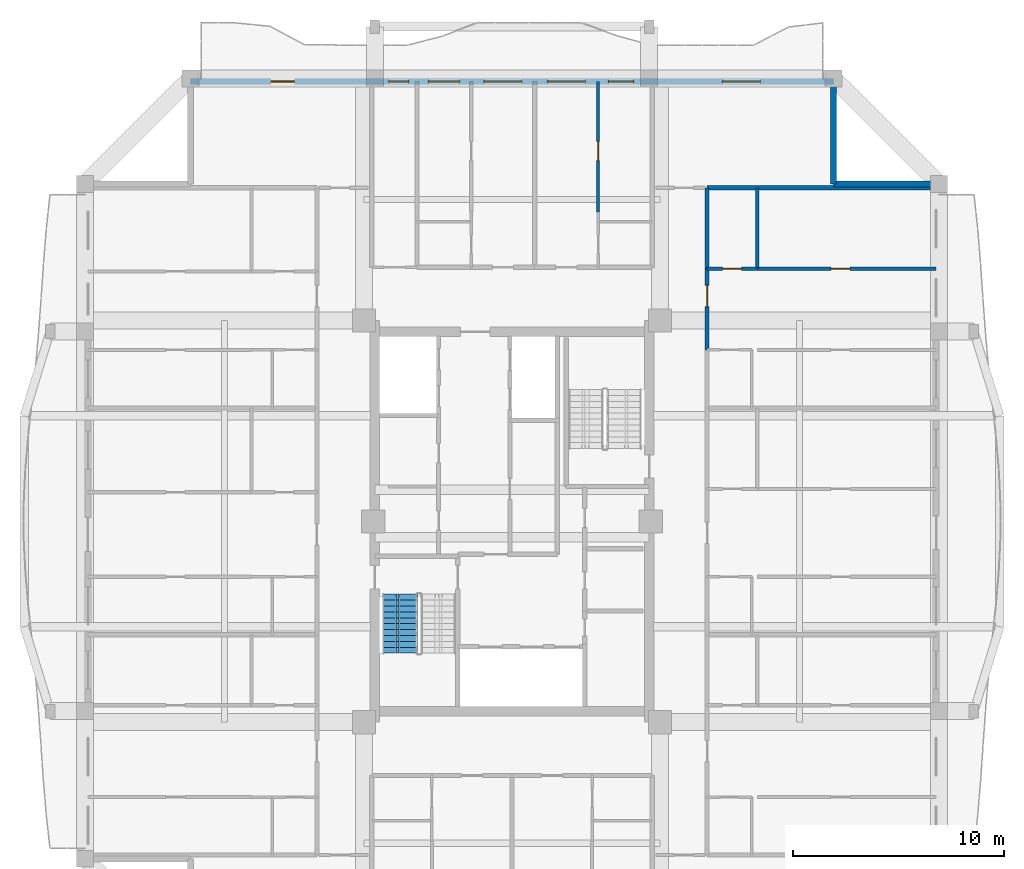
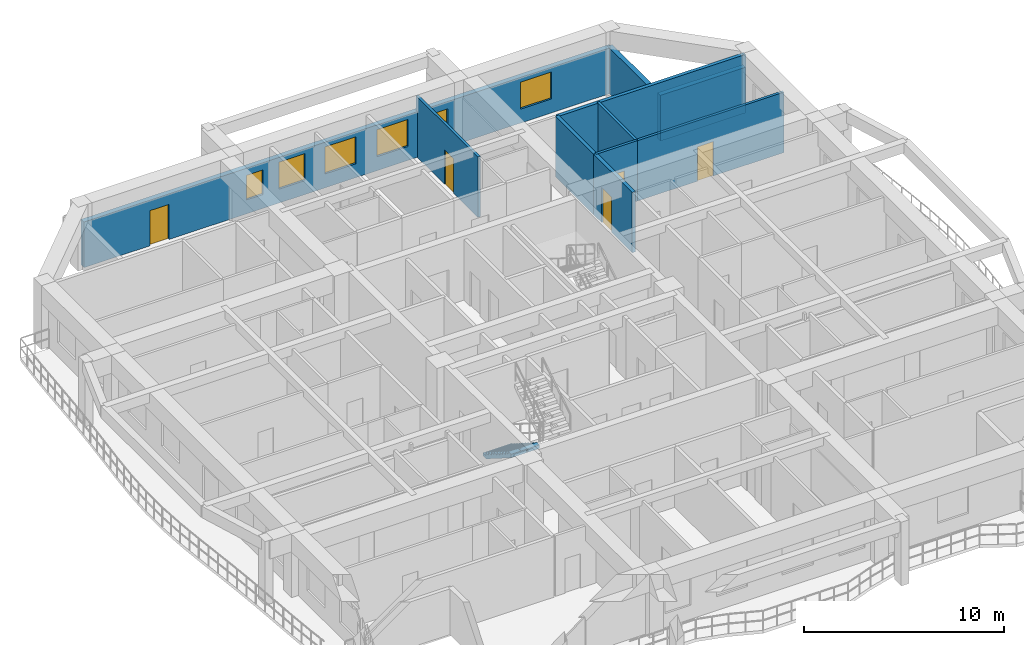
# One storey, part 7 of 13: 10 walls, 6 windows, 5 doors, 1 stair flight, 11 openings, 1 element without a shape of its own.
"""IFC4 building model written with IfcOpenShell, lengths in metres."""

from ifc_helpers import new_model, si_unit, direction, frame, frame_2d, origin, place, context, subcontext, project, spatial, polyline, rectangle, outline, extrude, source, transform, mapped, material, layer, layer_set, type_object, element, fill, aggregate, save


model = new_model("IFC4")

# Units and contexts
model_context = context("Model", 3, precision=1e-05, world=origin(), true_north=direction((0.0, 1.0)))
body_context = subcontext(model_context, "Body", "Model", "MODEL_VIEW")
ifc_project = project(units=[si_unit("LENGTHUNIT", "METRE"), si_unit("AREAUNIT", "SQUARE_METRE"), si_unit("VOLUMEUNIT", "CUBIC_METRE"), si_unit("PLANEANGLEUNIT", "RADIAN"), si_unit("MASSUNIT", "GRAM", prefix="KILO")], contexts=[model_context])

# Site, building, storey
site_placement = place(None, origin())
site = spatial("IfcSite", under=ifc_project, at=site_placement, CompositionType="ELEMENT")
building_placement = place(site_placement, origin())
building = spatial("IfcBuilding", under=site, at=building_placement, Name="Saelheon Loggia Tower", CompositionType="ELEMENT")
storey_placement = place(building_placement, frame((0.0, 0.0, 172.89990234375)))
storey = spatial("IfcBuildingStorey", under=building, at=storey_placement, Name="L54", CompositionType="ELEMENT", Elevation=172.89990234375)

# Wall, openings, windows, door
ifc_material_1 = material(Name="Architectural Precast Concrete C40/50", Category="concrete")
ifc_layer_1 = layer(ifc_material_1, 0.280029296875)
ifc_layer_set_1 = layer_set([ifc_layer_1], Name="Architectural Precast Concrete C40/50")
wall_type_1 = type_object("IfcWallType", Name="Wall_Ext_Loggia_280", PredefinedType="SOLIDWALL", material=ifc_layer_set_1)
wall_1_placement = place(storey_placement, frame((22.75, 47.860107421875, 0.0), z_axis=(0.0, 0.0, 1.0), x_axis=(1.0, 0.0, 0.0)))
wall_1 = element("IfcWall", 1, at=wall_1_placement, inside=storey, type_object=wall_type_1, Name="L54 North Loggia Inner Wall", PredefinedType="SOLIDWALL", context=body_context, shape_type="SweptSolid", body=[
    extrude(rectangle(XDim=30.5, YDim=0.280029296875, at=frame_2d((15.25, 0.0))), origin(), (0.0, 0.0, 1.0), 2.7900390625),
])
opening_1_placement = place(wall_1_placement, frame((3.824951171875, 0.0, 0.0)))
opening_1 = element("IfcOpeningElement", 2, at=opening_1_placement, cuts=wall_1, Name="Opening TD1", PredefinedType="OPENING", context=body_context, shape_type="SweptSolid", body=[
    extrude(rectangle(XDim=1.10009765625, YDim=2.14990234375, at=frame_2d((0.550048828125, 1.074951171875))), frame((0.0, 0.152099609375, 0.0), z_axis=(0.0, -1.0, 0.0), x_axis=(1.0, 0.0, 0.0)), (0.0, 0.0, 1.0), 0.303955078125),
])
opening_2_placement = place(wall_1_placement, frame((9.39501953125, 0.0, 0.85009765625)))
opening_2 = element("IfcOpeningElement", 3, at=opening_2_placement, cuts=wall_1, Name="Opening WN-04", PredefinedType="OPENING", context=body_context, shape_type="SweptSolid", body=[
    extrude(rectangle(XDim=0.949951171875, YDim=1.5, at=frame_2d((0.47509765625, 0.75))), frame((0.0, 0.152099609375, 0.0), z_axis=(0.0, -1.0, 0.0), x_axis=(1.0, 0.0, 0.0)), (0.0, 0.0, 1.0), 0.303955078125),
])
opening_3_placement = place(wall_1_placement, frame((11.2822265625, 0.0, 0.85009765625)))
opening_3 = element("IfcOpeningElement", 4, at=opening_3_placement, cuts=wall_1, Name="Opening WN-02", PredefinedType="OPENING", context=body_context, shape_type="SweptSolid", body=[
    extrude(rectangle(XDim=1.5, YDim=1.64990234375, at=frame_2d((0.75, 0.824951171875))), frame((0.0, 0.152099609375, 0.0), z_axis=(0.0, -1.0, 0.0), x_axis=(1.0, 0.0, 0.0)), (0.0, 0.0, 1.0), 0.303955078125),
])
opening_4_placement = place(wall_1_placement, frame((13.919921875, 0.0, 0.85009765625)))
opening_4 = element("IfcOpeningElement", 5, at=opening_4_placement, cuts=wall_1, Name="Opening WN-01", PredefinedType="OPENING", context=body_context, shape_type="SweptSolid", body=[
    extrude(rectangle(XDim=1.800048828125, YDim=1.64990234375, at=frame_2d((0.89990234375, 0.824951171875))), frame((0.0, 0.152099609375, 0.0), z_axis=(0.0, -1.0, 0.0), x_axis=(1.0, 0.0, 0.0)), (0.0, 0.0, 1.0), 0.303955078125),
])
opening_5_placement = place(wall_1_placement, frame((16.930419921875, 0.0, 0.85009765625)))
opening_5 = element("IfcOpeningElement", 6, at=opening_5_placement, cuts=wall_1, Name="Opening WN-01", PredefinedType="OPENING", context=body_context, shape_type="SweptSolid", body=[
    extrude(rectangle(XDim=1.800048828125, YDim=1.64990234375, at=frame_2d((0.89990234375, 0.824951171875))), frame((0.0, 0.152099609375, 0.0), z_axis=(0.0, -1.0, 0.0), x_axis=(1.0, 0.0, 0.0)), (0.0, 0.0, 1.0), 0.303955078125),
])
opening_6_placement = place(wall_1_placement, frame((19.82275390625, 0.0, 0.85009765625)))
opening_6 = element("IfcOpeningElement", 7, at=opening_6_placement, cuts=wall_1, Name="Opening WN-03", PredefinedType="OPENING", context=body_context, shape_type="SweptSolid", body=[
    extrude(rectangle(XDim=1.199951171875, YDim=1.5, at=frame_2d((0.60009765625, 0.75))), frame((0.0, 0.152099609375, 0.0), z_axis=(0.0, -1.0, 0.0), x_axis=(1.0, 0.0, 0.0)), (0.0, 0.0, 1.0), 0.303955078125),
])
opening_7_placement = place(wall_1_placement, frame((25.22509765625, 0.0, 0.85009765625)))
opening_7 = element("IfcOpeningElement", 8, at=opening_7_placement, cuts=wall_1, Name="Opening WN-01", PredefinedType="OPENING", context=body_context, shape_type="SweptSolid", body=[
    extrude(rectangle(XDim=1.800048828125, YDim=1.64990234375, at=frame_2d((0.89990234375, 0.824951171875))), frame((0.0, 0.152099609375, 0.0), z_axis=(0.0, -1.0, 0.0), x_axis=(1.0, 0.0, 0.0)), (0.0, 0.0, 1.0), 0.303955078125),
])
ifc_material_2 = material(Name="Thermal-Break Aluminium and Triple Low-E Glass", Category="aluminium")
window_type_1 = type_object("IfcWindowType", Name="Win_Dwelling_1800x1650", PartitioningType="SINGLE_PANEL", PredefinedType="WINDOW", material=ifc_material_2)
shared_shape_1 = source(origin(), body_context, "Body", "SweptSolid", [
    extrude(rectangle(XDim=1.800048828125, YDim=1.64990234375, at=frame_2d((0.89990234375, 0.824951171875))), frame((0.0, 0.030029296875, 0.0), z_axis=(0.0, -1.0, 0.0), x_axis=(1.0, 0.0, 0.0)), (0.0, 0.0, 1.0), 0.06005859375),
])
window_1_placement = place(opening_4_placement, origin())
window_1 = element("IfcWindow", 9, at=window_1_placement, inside=storey, type_object=window_type_1, Name="L54 N Dwelling Window 4", OverallHeight=1.64990234375, OverallWidth=1.800048828125, PartitioningType="SINGLE_PANEL", PredefinedType="WINDOW", context=body_context, shape_type="MappedRepresentation", body=[
    mapped(shared_shape_1, transform((0.0, 0.0, 0.0), scale=1.0)),
])
fill(opening_4, window_1)
window_2_placement = place(opening_5_placement, origin())
window_2 = element("IfcWindow", 10, at=window_2_placement, inside=storey, type_object=window_type_1, Name="L54 N Dwelling Window 5", OverallHeight=1.64990234375, OverallWidth=1.800048828125, PartitioningType="SINGLE_PANEL", PredefinedType="WINDOW", context=body_context, shape_type="MappedRepresentation", body=[
    mapped(shared_shape_1, transform((0.0, 0.0, 0.0), scale=1.0)),
])
fill(opening_5, window_2)
window_3_placement = place(opening_7_placement, origin())
window_3 = element("IfcWindow", 11, at=window_3_placement, inside=storey, type_object=window_type_1, Name="L54 N Dwelling Window 7", OverallHeight=1.64990234375, OverallWidth=1.800048828125, PartitioningType="SINGLE_PANEL", PredefinedType="WINDOW", context=body_context, shape_type="MappedRepresentation", body=[
    mapped(shared_shape_1, transform((0.0, 0.0, 0.0), scale=1.0)),
])
fill(opening_7, window_3)
window_type_2 = type_object("IfcWindowType", Name="Win_Bedroom_1200x1500", PartitioningType="SINGLE_PANEL", PredefinedType="WINDOW", material=ifc_material_2)
shared_shape_2 = source(origin(), body_context, "Body", "SweptSolid", [
    extrude(rectangle(XDim=1.199951171875, YDim=1.5, at=frame_2d((0.60009765625, 0.75))), frame((0.0, 0.030029296875, 0.0), z_axis=(0.0, -1.0, 0.0), x_axis=(1.0, 0.0, 0.0)), (0.0, 0.0, 1.0), 0.06005859375),
])
window_4_placement = place(opening_6_placement, origin())
window_4 = element("IfcWindow", 12, at=window_4_placement, inside=storey, type_object=window_type_2, Name="L54 N Dwelling Window 6", OverallHeight=1.5, OverallWidth=1.199951171875, PartitioningType="SINGLE_PANEL", PredefinedType="WINDOW", context=body_context, shape_type="MappedRepresentation", body=[
    mapped(shared_shape_2, transform((0.0, 0.0, 0.0), scale=1.0)),
])
fill(opening_6, window_4)
ifc_material_3 = material(Name="Thermal-Break Aluminium Glazed Door", Category="aluminium")
door_type_1 = type_object("IfcDoorType", Name="Door_Terrace_TD1", OperationType="NOTDEFINED", PredefinedType="DOOR", material=ifc_material_3)
shared_shape_3 = source(origin(), body_context, "Body", "SweptSolid", [
    extrude(rectangle(XDim=1.10009765625, YDim=2.14990234375, at=frame_2d((0.550048828125, 1.074951171875))), frame((0.0, 0.02490234375, 0.0), z_axis=(0.0, -1.0, 0.0), x_axis=(1.0, 0.0, 0.0)), (0.0, 0.0, 1.0), 0.050048828125),
])
door_1_placement = place(opening_1_placement, origin())
door_1 = element("IfcDoor", 13, at=door_1_placement, inside=storey, type_object=door_type_1, Name="L54 N Loggia Access Door", OperationType="SINGLE_SWING_LEFT", OverallHeight=2.14990234375, OverallWidth=1.10009765625, PredefinedType="DOOR", context=body_context, shape_type="MappedRepresentation", body=[
    mapped(shared_shape_3, transform((0.0, 0.0, 0.0), scale=1.0)),
])
fill(opening_1, door_1)
window_type_3 = type_object("IfcWindowType", Name="Win_Narrow_950x1500", PartitioningType="SINGLE_PANEL", PredefinedType="WINDOW", material=ifc_material_2)
shared_shape_4 = source(origin(), body_context, "Body", "SweptSolid", [
    extrude(rectangle(XDim=0.949951171875, YDim=1.5, at=frame_2d((0.47509765625, 0.75))), frame((0.0, 0.030029296875, 0.0), z_axis=(0.0, -1.0, 0.0), x_axis=(1.0, 0.0, 0.0)), (0.0, 0.0, 1.0), 0.06005859375),
])
window_5_placement = place(opening_2_placement, origin())
window_5 = element("IfcWindow", 14, at=window_5_placement, inside=storey, type_object=window_type_3, Name="L54 N Dwelling Window 2", OverallHeight=1.5, OverallWidth=0.949951171875, PartitioningType="SINGLE_PANEL", PredefinedType="WINDOW", context=body_context, shape_type="MappedRepresentation", body=[
    mapped(shared_shape_4, transform((0.0, 0.0, 0.0), scale=1.0)),
])
fill(opening_2, window_5)
window_type_4 = type_object("IfcWindowType", Name="Win_Dwelling_1500x1650", PartitioningType="SINGLE_PANEL", PredefinedType="WINDOW", material=ifc_material_2)
shared_shape_5 = source(origin(), body_context, "Body", "SweptSolid", [
    extrude(rectangle(XDim=1.5, YDim=1.64990234375, at=frame_2d((0.75, 0.824951171875))), frame((0.0, 0.030029296875, 0.0), z_axis=(0.0, -1.0, 0.0), x_axis=(1.0, 0.0, 0.0)), (0.0, 0.0, 1.0), 0.06005859375),
])
window_6_placement = place(opening_3_placement, origin())
window_6 = element("IfcWindow", 15, at=window_6_placement, inside=storey, type_object=window_type_4, Name="L54 N Dwelling Window 3", OverallHeight=1.64990234375, OverallWidth=1.5, PartitioningType="SINGLE_PANEL", PredefinedType="WINDOW", context=body_context, shape_type="MappedRepresentation", body=[
    mapped(shared_shape_5, transform((0.0, 0.0, 0.0), scale=1.0)),
])
fill(opening_3, window_6)

# Walls
for number, where, z_axis, x_axis, name in (
    (16, (53.25, 43.0, 0.0), (0.0, 0.0, 1.0), (0.0, 1.0, 0.0), "L54 Corner Notch Precast Wall NE1"),
    (17, (53.25, 43.0, 0.0), (0.0, 0.0, 1.0), (1.0, 0.0, 0.0), "L54 Corner Notch Precast Wall NE2"),
):
    element("IfcWall", number, at=place(storey_placement, frame(where, z_axis=z_axis, x_axis=x_axis)), inside=storey, type_object=wall_type_1, Name=name, PredefinedType="SOLIDWALL", context=body_context, shape_type="SweptSolid", body=[
        extrude(rectangle(XDim=4.919921875, YDim=0.280029296875, at=frame_2d((2.4599609375, 0.0))), origin(), (0.0, 0.0, 1.0), 2.7900390625),
    ])

# Wall, opening, door
ifc_material_4 = material(Name="Lightweight Autoclaved Aerated Concrete Block and Acoustic Gypsum", Category="concrete")
ifc_layer_2 = layer(ifc_material_4, 0.14990234375)
ifc_layer_set_2 = layer_set([ifc_layer_2], Name="Lightweight Autoclaved Aerated Concrete Block and Acoustic Gypsum")
wall_type_2 = type_object("IfcWallType", Name="Wall_Part_150", PredefinedType="PARTITIONING", material=ifc_layer_set_2)
wall_2_placement = place(storey_placement, frame((42.08544921875, 41.669921875, 0.0), z_axis=(0.0, 0.0, 1.0), x_axis=(0.0, 1.0, 0.0)))
wall_2 = element("IfcWall", 18, at=wall_2_placement, inside=storey, type_object=wall_type_2, Name="L54 N Partition U17", PredefinedType="PARTITIONING", context=body_context, shape_type="SweptSolid", body=[
    extrude(rectangle(XDim=6.18017578125, YDim=0.14990234375, at=frame_2d((3.090087890625, 0.0))), origin(), (0.0, 0.0, 1.0), 3.690185546875),
])
opening_8_placement = place(wall_2_placement, frame((2.43994140625, 0.0, 0.0)))
opening_8 = element("IfcOpeningElement", 19, at=opening_8_placement, cuts=wall_2, Name="Opening D-IN2", PredefinedType="OPENING", context=body_context, shape_type="SweptSolid", body=[
    extrude(rectangle(XDim=0.89990234375, YDim=2.10009765625, at=frame_2d((0.449951171875, 1.050048828125))), frame((0.0, 0.0869140625, 0.0), z_axis=(0.0, -1.0, 0.0), x_axis=(1.0, 0.0, 0.0)), (0.0, 0.0, 1.0), 0.173828125),
])
ifc_material_5 = material(Name="Engineered Oak Flush Door", Category="timber")
door_type_2 = type_object("IfcDoorType", Name="Door_Int_900", OperationType="NOTDEFINED", PredefinedType="DOOR", material=ifc_material_5)
shared_shape_6 = source(origin(), body_context, "Body", "SweptSolid", [
    extrude(rectangle(XDim=0.89990234375, YDim=2.10009765625, at=frame_2d((0.449951171875, 1.050048828125))), frame((0.0, 0.02490234375, 0.0), z_axis=(0.0, -1.0, 0.0), x_axis=(1.0, 0.0, 0.0)), (0.0, 0.0, 1.0), 0.050048828125),
])
door_2_placement = place(opening_8_placement, origin())
door_2 = element("IfcDoor", 20, at=door_2_placement, inside=storey, type_object=door_type_2, Name="Unit U04 Kitchen Door", OperationType="SINGLE_SWING_RIGHT", OverallHeight=2.10009765625, OverallWidth=0.89990234375, PredefinedType="DOOR", context=body_context, shape_type="MappedRepresentation", body=[
    mapped(shared_shape_6, transform((0.0, 0.0, 0.0), scale=1.0)),
])
fill(opening_8, door_2)

# Wall
wall_3_placement = place(storey_placement, frame((49.6298828125, 38.98291015625, 0.0), z_axis=(0.0, 0.0, 1.0), x_axis=(0.0, 1.0, 0.0)))
element("IfcWall", 21, at=wall_3_placement, inside=storey, type_object=wall_type_2, Name="L54 E Partition V27", PredefinedType="PARTITIONING", context=body_context, shape_type="SweptSolid", body=[
    extrude(rectangle(XDim=3.837158203125, YDim=0.14990234375, at=frame_2d((1.91845703125, 0.0))), origin(), (0.0, 0.0, 1.0), 3.690185546875),
])

# Wall, opening, door
wall_4_placement = place(storey_placement, frame((47.25, 38.98291015625, 0.0), z_axis=(0.0, 0.0, 1.0), x_axis=(1.0, 0.0, 0.0)))
wall_4 = element("IfcWall", 22, at=wall_4_placement, inside=storey, type_object=wall_type_2, Name="L54 E Partition U30", PredefinedType="PARTITIONING", context=body_context, shape_type="SweptSolid", body=[
    extrude(rectangle(XDim=2.3798828125, YDim=0.14990234375, at=frame_2d((1.18994140625, 0.0))), origin(), (0.0, 0.0, 1.0), 3.690185546875),
])
opening_9_placement = place(wall_4_placement, frame((0.739990234375, 0.0, 0.0)))
opening_9 = element("IfcOpeningElement", 23, at=opening_9_placement, cuts=wall_4, Name="Opening D-IN2", PredefinedType="OPENING", context=body_context, shape_type="SweptSolid", body=[
    extrude(rectangle(XDim=0.89990234375, YDim=2.10009765625, at=frame_2d((0.449951171875, 1.050048828125))), frame((0.0, 0.0869140625, 0.0), z_axis=(0.0, -1.0, 0.0), x_axis=(1.0, 0.0, 0.0)), (0.0, 0.0, 1.0), 0.173828125),
])
door_3_placement = place(opening_9_placement, origin())
door_3 = element("IfcDoor", 24, at=door_3_placement, inside=storey, type_object=door_type_2, Name="Unit U10 Dressing Closet Door", OperationType="SINGLE_SWING_LEFT", OverallHeight=2.10009765625, OverallWidth=0.89990234375, PredefinedType="DOOR", context=body_context, shape_type="MappedRepresentation", body=[
    mapped(shared_shape_6, transform((0.0, 0.0, 0.0), scale=1.0)),
])
fill(opening_9, door_3)

wall_5_placement = place(storey_placement, frame((49.6298828125, 38.98291015625, 0.0), z_axis=(0.0, 0.0, 1.0), x_axis=(1.0, 0.0, 0.0)))
wall_5 = element("IfcWall", 25, at=wall_5_placement, inside=storey, type_object=wall_type_2, Name="L54 E Partition U31", PredefinedType="PARTITIONING", context=body_context, shape_type="SweptSolid", body=[
    extrude(rectangle(XDim=8.47021484375, YDim=0.14990234375, at=frame_2d((4.235107421875, 0.0))), origin(), (0.0, 0.0, 1.0), 3.690185546875),
])
opening_10_placement = place(wall_5_placement, frame((3.489501953125, 0.0, 0.0)))
opening_10 = element("IfcOpeningElement", 26, at=opening_10_placement, cuts=wall_5, Name="Opening D-IN2", PredefinedType="OPENING", context=body_context, shape_type="SweptSolid", body=[
    extrude(rectangle(XDim=0.89990234375, YDim=2.10009765625, at=frame_2d((0.449951171875, 1.050048828125))), frame((0.0, 0.0869140625, 0.0), z_axis=(0.0, -1.0, 0.0), x_axis=(1.0, 0.0, 0.0)), (0.0, 0.0, 1.0), 0.173828125),
])
door_4_placement = place(opening_10_placement, origin())
door_4 = element("IfcDoor", 27, at=door_4_placement, inside=storey, type_object=door_type_2, Name="Unit U10 Bedroom 1 Door", OperationType="SINGLE_SWING_RIGHT", OverallHeight=2.10009765625, OverallWidth=0.89990234375, PredefinedType="DOOR", context=body_context, shape_type="MappedRepresentation", body=[
    mapped(shared_shape_6, transform((0.0, 0.0, 0.0), scale=1.0)),
])
fill(opening_10, door_4)

# Wall
ifc_material_6 = material(Name="Double Acoustic Stud and Fireboard Partition", Category="gypsum")
ifc_layer_3 = layer(ifc_material_6, 0.199951171875)
ifc_layer_set_3 = layer_set([ifc_layer_3], Name="Double Acoustic Stud and Fireboard Partition")
wall_type_3 = type_object("IfcWallType", Name="Wall_Party_200", PredefinedType="PARTITIONING", material=ifc_layer_set_3)
wall_6_placement = place(storey_placement, frame((47.25, 42.820068359375, 0.0), z_axis=(0.0, 0.0, 1.0), x_axis=(1.0, 0.0, 0.0)))
element("IfcWall", 28, at=wall_6_placement, inside=storey, type_object=wall_type_3, Name="L54 E Partition U02", PredefinedType="PARTITIONING", context=body_context, shape_type="SweptSolid", body=[
    extrude(rectangle(XDim=10.85009765625, YDim=0.199951171875, at=frame_2d((5.425048828125, 0.0))), origin(), (0.0, 0.0, 1.0), 3.690185546875),
])

# Wall, opening, door
wall_7_placement = place(storey_placement, frame((47.25, 35.12890625, 0.0), z_axis=(0.0, 0.0, 1.0), x_axis=(0.0, 1.0, 0.0)))
wall_7 = element("IfcWall", 29, at=wall_7_placement, inside=storey, type_object=wall_type_3, Name="L54 E Partition V24", PredefinedType="PARTITIONING", context=body_context, shape_type="SweptSolid", body=[
    extrude(rectangle(XDim=3.85400390625, YDim=0.199951171875, at=frame_2d((1.927001953125, 0.0))), origin(), (0.0, 0.0, 1.0), 3.690185546875),
])
opening_11_placement = place(wall_7_placement, frame((2.05908203125, 0.0, 0.0)))
opening_11 = element("IfcOpeningElement", 30, at=opening_11_placement, cuts=wall_7, Name="Opening D-FD1", PredefinedType="OPENING", context=body_context, shape_type="SweptSolid", body=[
    extrude(rectangle(XDim=1.0, YDim=2.14990234375, at=frame_2d((0.5, 1.074951171875))), frame((0.0, 0.112060546875, 0.0), z_axis=(0.0, -1.0, 0.0), x_axis=(1.0, 0.0, 0.0)), (0.0, 0.0, 1.0), 0.223876953125),
])
ifc_material_7 = material(Name="Fire-Rated Engineered Timber Entrance Door", Category="wood")
door_type_3 = type_object("IfcDoorType", Name="Door_Flat_FD30S", OperationType="NOTDEFINED", PredefinedType="DOOR", material=ifc_material_7)
shared_shape_7 = source(origin(), body_context, "Body", "SweptSolid", [
    extrude(rectangle(XDim=1.0, YDim=2.14990234375, at=frame_2d((0.5, 1.074951171875))), frame((0.0, 0.02490234375, 0.0), z_axis=(0.0, -1.0, 0.0), x_axis=(1.0, 0.0, 0.0)), (0.0, 0.0, 1.0), 0.050048828125),
])
door_5_placement = place(opening_11_placement, origin())
door_5 = element("IfcDoor", 31, at=door_5_placement, inside=storey, type_object=door_type_3, Name="Unit U10 Entrance Door", OperationType="SINGLE_SWING_RIGHT", OverallHeight=2.14990234375, OverallWidth=1.0, PredefinedType="DOOR", context=body_context, shape_type="MappedRepresentation", body=[
    mapped(shared_shape_7, transform((0.0, 0.0, 0.0), scale=1.0)),
])
fill(opening_11, door_5)

# Wall
wall_8_placement = place(storey_placement, frame((47.25, 38.98291015625, 0.0), z_axis=(0.0, 0.0, 1.0), x_axis=(0.0, 1.0, 0.0)))
element("IfcWall", 32, at=wall_8_placement, inside=storey, type_object=wall_type_3, Name="L54 E Partition V25", PredefinedType="PARTITIONING", context=body_context, shape_type="SweptSolid", body=[
    extrude(rectangle(XDim=3.837158203125, YDim=0.199951171875, at=frame_2d((1.91845703125, 0.0))), origin(), (0.0, 0.0, 1.0), 3.690185546875),
])

# Stair, stair flight
ifc_material_8 = material(Name="Concrete C40/50", Category="concrete")
stair_type = type_object("IfcStairType", Name="Stair_Escape_Core", PredefinedType="HALF_TURN_STAIR", material=ifc_material_8)
stair_placement = place(storey_placement, origin())
stair = element("IfcStair", 33, at=stair_placement, inside=storey, type_object=stair_type, Name="L54 Special Escape Stair ST1", PredefinedType="HALF_TURN_STAIR")
stair_flight_type = type_object("IfcStairFlightType", Name="StairFlight_Tower_1660", PredefinedType="STRAIGHT", material=ifc_material_8)
stair_flight_placement = place(storey_placement, frame((32.679931640625, 23.550048828125, 0.0), z_axis=(0.0, 0.0, 1.0), x_axis=(0.0, -1.0, 0.0)))
stair_flight = element("IfcStairFlight", 34, at=stair_flight_placement, type_object=stair_flight_type, Name="ST1 flight 1", NumberOfRisers=11, NumberOfTreads=10, PredefinedType="STRAIGHT", RiserHeight=0.177272727, TreadLength=0.28, context=body_context, shape_type="SweptSolid", body=[
    extrude(outline(polyline([(0.0, 0.0), (0.0, 0.17724609375), (0.280029296875, 0.17724609375), (0.280029296875, 0.3544921875), (0.56005859375, 0.3544921875), (0.56005859375, 0.53173828125), (0.840087890625, 0.53173828125), (0.840087890625, 0.708984375), (1.1201171875, 0.708984375), (1.1201171875, 0.886474609375), (1.39990234375, 0.886474609375), (1.39990234375, 1.063720703125), (1.679931640625, 1.063720703125), (1.679931640625, 1.240966796875), (1.9599609375, 1.240966796875), (1.9599609375, 1.418212890625), (2.239990234375, 1.418212890625), (2.239990234375, 1.595458984375), (2.52001953125, 1.595458984375), (2.52001953125, 1.772705078125), (2.800048828125, 1.772705078125), (2.800048828125, 1.949951171875), (2.800048828125, 1.559814453125), (0.33642578125, 0.0), (0.0, 0.0)])), frame((0.0, -0.2490234375, 0.0), z_axis=(0.0, -1.0, 0.0), x_axis=(1.0, 0.0, 0.0)), (0.0, 0.0, 1.0), 0.5810546875),
    extrude(outline(polyline([(0.0, 0.0), (0.0, 0.17724609375), (0.280029296875, 0.17724609375), (0.280029296875, 0.3544921875), (0.56005859375, 0.3544921875), (0.56005859375, 0.53173828125), (0.840087890625, 0.53173828125), (0.840087890625, 0.708984375), (1.1201171875, 0.708984375), (1.1201171875, 0.886474609375), (1.39990234375, 0.886474609375), (1.39990234375, 1.063720703125), (1.679931640625, 1.063720703125), (1.679931640625, 1.240966796875), (1.9599609375, 1.240966796875), (1.9599609375, 1.418212890625), (2.239990234375, 1.418212890625), (2.239990234375, 1.595458984375), (2.52001953125, 1.595458984375), (2.52001953125, 1.772705078125), (2.800048828125, 1.772705078125), (2.800048828125, 1.949951171875), (2.800048828125, 1.559814453125), (0.33642578125, 0.0), (0.0, 0.0)])), frame((0.0, -0.194091796875, 0.0), z_axis=(0.0, -1.0, 0.0), x_axis=(1.0, 0.0, 0.0)), (0.0, 0.0, 1.0), 0.0498046875),
    extrude(outline(polyline([(0.0, 0.0), (0.0, 0.17724609375), (0.280029296875, 0.17724609375), (0.280029296875, 0.3544921875), (0.56005859375, 0.3544921875), (0.56005859375, 0.53173828125), (0.840087890625, 0.53173828125), (0.840087890625, 0.708984375), (1.1201171875, 0.708984375), (1.1201171875, 0.886474609375), (1.39990234375, 0.886474609375), (1.39990234375, 1.063720703125), (1.679931640625, 1.063720703125), (1.679931640625, 1.240966796875), (1.9599609375, 1.240966796875), (1.9599609375, 1.418212890625), (2.239990234375, 1.418212890625), (2.239990234375, 1.595458984375), (2.52001953125, 1.595458984375), (2.52001953125, 1.772705078125), (2.800048828125, 1.772705078125), (2.800048828125, 1.949951171875), (2.800048828125, 1.559814453125), (0.33642578125, 0.0), (0.0, 0.0)])), frame((0.0, -0.139404296875, 0.0), z_axis=(0.0, -1.0, 0.0), x_axis=(1.0, 0.0, 0.0)), (0.0, 0.0, 1.0), 0.0498046875),
    extrude(outline(polyline([(0.0, 0.0), (0.0, 0.17724609375), (0.280029296875, 0.17724609375), (0.280029296875, 0.3544921875), (0.56005859375, 0.3544921875), (0.56005859375, 0.53173828125), (0.840087890625, 0.53173828125), (0.840087890625, 0.708984375), (1.1201171875, 0.708984375), (1.1201171875, 0.886474609375), (1.39990234375, 0.886474609375), (1.39990234375, 1.063720703125), (1.679931640625, 1.063720703125), (1.679931640625, 1.240966796875), (1.9599609375, 1.240966796875), (1.9599609375, 1.418212890625), (2.239990234375, 1.418212890625), (2.239990234375, 1.595458984375), (2.52001953125, 1.595458984375), (2.52001953125, 1.772705078125), (2.800048828125, 1.772705078125), (2.800048828125, 1.949951171875), (2.800048828125, 1.559814453125), (0.33642578125, 0.0), (0.0, 0.0)])), frame((0.0, -0.084716796875, 0.0), z_axis=(0.0, -1.0, 0.0), x_axis=(1.0, 0.0, 0.0)), (0.0, 0.0, 1.0), 0.0498046875),
    extrude(outline(polyline([(0.0, 0.0), (0.0, 0.17724609375), (0.280029296875, 0.17724609375), (0.280029296875, 0.3544921875), (0.56005859375, 0.3544921875), (0.56005859375, 0.53173828125), (0.840087890625, 0.53173828125), (0.840087890625, 0.708984375), (1.1201171875, 0.708984375), (1.1201171875, 0.886474609375), (1.39990234375, 0.886474609375), (1.39990234375, 1.063720703125), (1.679931640625, 1.063720703125), (1.679931640625, 1.240966796875), (1.9599609375, 1.240966796875), (1.9599609375, 1.418212890625), (2.239990234375, 1.418212890625), (2.239990234375, 1.595458984375), (2.52001953125, 1.595458984375), (2.52001953125, 1.772705078125), (2.800048828125, 1.772705078125), (2.800048828125, 1.949951171875), (2.800048828125, 1.559814453125), (0.33642578125, 0.0), (0.0, 0.0)])), frame((0.0, -0.02978515625, 0.0), z_axis=(0.0, -1.0, 0.0), x_axis=(1.0, 0.0, 0.0)), (0.0, 0.0, 1.0), 0.0498046875),
    extrude(outline(polyline([(0.0, 0.0), (0.0, 0.17724609375), (0.280029296875, 0.17724609375), (0.280029296875, 0.3544921875), (0.56005859375, 0.3544921875), (0.56005859375, 0.53173828125), (0.840087890625, 0.53173828125), (0.840087890625, 0.708984375), (1.1201171875, 0.708984375), (1.1201171875, 0.886474609375), (1.39990234375, 0.886474609375), (1.39990234375, 1.063720703125), (1.679931640625, 1.063720703125), (1.679931640625, 1.240966796875), (1.9599609375, 1.240966796875), (1.9599609375, 1.418212890625), (2.239990234375, 1.418212890625), (2.239990234375, 1.595458984375), (2.52001953125, 1.595458984375), (2.52001953125, 1.772705078125), (2.800048828125, 1.772705078125), (2.800048828125, 1.949951171875), (2.800048828125, 1.559814453125), (0.33642578125, 0.0), (0.0, 0.0)])), frame((0.0, 0.02490234375, 0.0), z_axis=(0.0, -1.0, 0.0), x_axis=(1.0, 0.0, 0.0)), (0.0, 0.0, 1.0), 0.0498046875),
    extrude(outline(polyline([(0.0, 0.0), (0.0, 0.17724609375), (0.280029296875, 0.17724609375), (0.280029296875, 0.3544921875), (0.56005859375, 0.3544921875), (0.56005859375, 0.53173828125), (0.840087890625, 0.53173828125), (0.840087890625, 0.708984375), (1.1201171875, 0.708984375), (1.1201171875, 0.886474609375), (1.39990234375, 0.886474609375), (1.39990234375, 1.063720703125), (1.679931640625, 1.063720703125), (1.679931640625, 1.240966796875), (1.9599609375, 1.240966796875), (1.9599609375, 1.418212890625), (2.239990234375, 1.418212890625), (2.239990234375, 1.595458984375), (2.52001953125, 1.595458984375), (2.52001953125, 1.772705078125), (2.800048828125, 1.772705078125), (2.800048828125, 1.949951171875), (2.800048828125, 1.559814453125), (0.33642578125, 0.0), (0.0, 0.0)])), frame((0.0, 0.07958984375, 0.0), z_axis=(0.0, -1.0, 0.0), x_axis=(1.0, 0.0, 0.0)), (0.0, 0.0, 1.0), 0.0498046875),
    extrude(outline(polyline([(0.0, 0.0), (0.0, 0.17724609375), (0.280029296875, 0.17724609375), (0.280029296875, 0.3544921875), (0.56005859375, 0.3544921875), (0.56005859375, 0.53173828125), (0.840087890625, 0.53173828125), (0.840087890625, 0.708984375), (1.1201171875, 0.708984375), (1.1201171875, 0.886474609375), (1.39990234375, 0.886474609375), (1.39990234375, 1.063720703125), (1.679931640625, 1.063720703125), (1.679931640625, 1.240966796875), (1.9599609375, 1.240966796875), (1.9599609375, 1.418212890625), (2.239990234375, 1.418212890625), (2.239990234375, 1.595458984375), (2.52001953125, 1.595458984375), (2.52001953125, 1.772705078125), (2.800048828125, 1.772705078125), (2.800048828125, 1.949951171875), (2.800048828125, 1.559814453125), (0.33642578125, 0.0), (0.0, 0.0)])), frame((0.0, 0.134521484375, 0.0), z_axis=(0.0, -1.0, 0.0), x_axis=(1.0, 0.0, 0.0)), (0.0, 0.0, 1.0), 0.0498046875),
    extrude(outline(polyline([(0.0, 0.0), (0.0, 0.17724609375), (0.280029296875, 0.17724609375), (0.280029296875, 0.3544921875), (0.56005859375, 0.3544921875), (0.56005859375, 0.53173828125), (0.840087890625, 0.53173828125), (0.840087890625, 0.708984375), (1.1201171875, 0.708984375), (1.1201171875, 0.886474609375), (1.39990234375, 0.886474609375), (1.39990234375, 1.063720703125), (1.679931640625, 1.063720703125), (1.679931640625, 1.240966796875), (1.9599609375, 1.240966796875), (1.9599609375, 1.418212890625), (2.239990234375, 1.418212890625), (2.239990234375, 1.595458984375), (2.52001953125, 1.595458984375), (2.52001953125, 1.772705078125), (2.800048828125, 1.772705078125), (2.800048828125, 1.949951171875), (2.800048828125, 1.559814453125), (0.33642578125, 0.0), (0.0, 0.0)])), frame((0.0, 0.189208984375, 0.0), z_axis=(0.0, -1.0, 0.0), x_axis=(1.0, 0.0, 0.0)), (0.0, 0.0, 1.0), 0.0498046875),
    extrude(outline(polyline([(0.0, 0.0), (0.0, 0.17724609375), (0.280029296875, 0.17724609375), (0.280029296875, 0.3544921875), (0.56005859375, 0.3544921875), (0.56005859375, 0.53173828125), (0.840087890625, 0.53173828125), (0.840087890625, 0.708984375), (1.1201171875, 0.708984375), (1.1201171875, 0.886474609375), (1.39990234375, 0.886474609375), (1.39990234375, 1.063720703125), (1.679931640625, 1.063720703125), (1.679931640625, 1.240966796875), (1.9599609375, 1.240966796875), (1.9599609375, 1.418212890625), (2.239990234375, 1.418212890625), (2.239990234375, 1.595458984375), (2.52001953125, 1.595458984375), (2.52001953125, 1.772705078125), (2.800048828125, 1.772705078125), (2.800048828125, 1.949951171875), (2.800048828125, 1.559814453125), (0.33642578125, 0.0), (0.0, 0.0)])), frame((0.0, 0.243896484375, 0.0), z_axis=(0.0, -1.0, 0.0), x_axis=(1.0, 0.0, 0.0)), (0.0, 0.0, 1.0), 0.0498046875),
    extrude(outline(polyline([(0.0, 0.0), (0.0, 0.17724609375), (0.280029296875, 0.17724609375), (0.280029296875, 0.3544921875), (0.56005859375, 0.3544921875), (0.56005859375, 0.53173828125), (0.840087890625, 0.53173828125), (0.840087890625, 0.708984375), (1.1201171875, 0.708984375), (1.1201171875, 0.886474609375), (1.39990234375, 0.886474609375), (1.39990234375, 1.063720703125), (1.679931640625, 1.063720703125), (1.679931640625, 1.240966796875), (1.9599609375, 1.240966796875), (1.9599609375, 1.418212890625), (2.239990234375, 1.418212890625), (2.239990234375, 1.595458984375), (2.52001953125, 1.595458984375), (2.52001953125, 1.772705078125), (2.800048828125, 1.772705078125), (2.800048828125, 1.949951171875), (2.800048828125, 1.559814453125), (0.33642578125, 0.0), (0.0, 0.0)])), frame((0.0, 0.830078125, 0.0), z_axis=(0.0, -1.0, 0.0), x_axis=(1.0, 0.0, 0.0)), (0.0, 0.0, 1.0), 0.5810546875),
])
aggregate(stair, [stair_flight])

save(model, "model.ifc")
